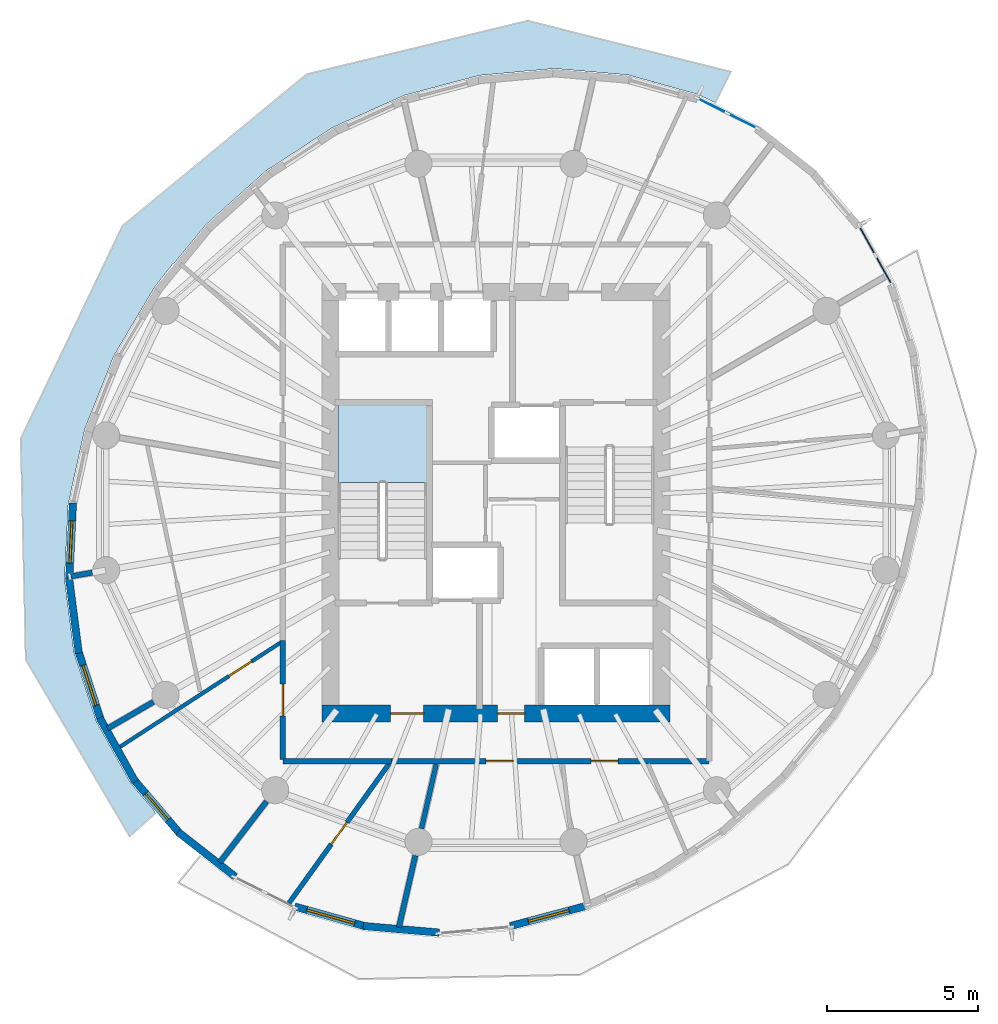
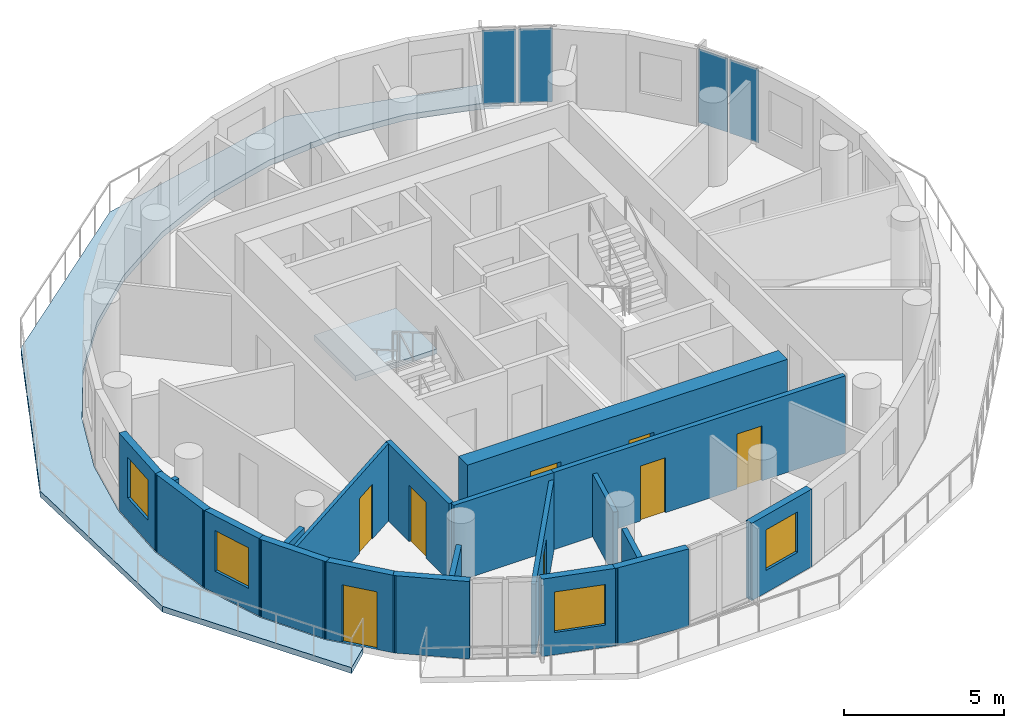
# One storey, part 4 of 10: 20 walls, 8 doors, 4 plates, 4 windows, 2 slabs, 12 openings, 3 elements without a shape of their own.
"""IFC4 building model written with IfcOpenShell, lengths in metres."""

from ifc_helpers import new_model, si_unit, direction, frame, frame_2d, origin, origin_2d, place, context, subcontext, project, spatial, polyline, rectangle, outline, extrude, material, layer, layer_set, type_object, element, fill, aggregate, save


model = new_model("IFC4")

# Units and contexts
model_context = context("Model", 3, precision=1e-05, world=origin(), true_north=direction((0.0, 1.0)))
body_context = subcontext(model_context, "Body", "Model", "MODEL_VIEW")
ifc_project = project(units=[si_unit("LENGTHUNIT", "METRE"), si_unit("AREAUNIT", "SQUARE_METRE"), si_unit("VOLUMEUNIT", "CUBIC_METRE"), si_unit("PLANEANGLEUNIT", "RADIAN"), si_unit("MASSUNIT", "GRAM", prefix="KILO")], contexts=[model_context])

# Site, building, storey
site_placement = place(None, origin())
site = spatial("IfcSite", under=ifc_project, at=site_placement, CompositionType="ELEMENT")
building_placement = place(site_placement, origin())
building = spatial("IfcBuilding", under=site, at=building_placement, Name="Veldorim Arch Residences", CompositionType="ELEMENT")
storey_placement = place(building_placement, frame((0.0, 0.0, 185.43994140625)))
storey = spatial("IfcBuildingStorey", under=building, at=storey_placement, Name="L55", CompositionType="ELEMENT", Elevation=185.43994140625)

# Slab
ifc_material_1 = material(Name="Concrete C40/50", Category="concrete")
ifc_layer_1 = layer(ifc_material_1, 0.219970703125, Name="Planted Crescent Cantilever Balcony Slab 220")
ifc_layer_set_1 = layer_set([ifc_layer_1], Name="Concrete C40/50")
slab_type_1 = type_object("IfcSlabType", Name="Planted Crescent Cantilever Balcony Slab 220", PredefinedType="FLOOR", material=ifc_layer_set_1)
slab_1_placement = place(storey_placement, frame((0.0, 0.0, -0.219970703125)))
element("IfcSlab", 1, at=slab_1_placement, inside=storey, type_object=slab_type_1, Name="L55 planted crescent balcony slab A", PredefinedType="FLOOR", context=body_context, shape_type="SweptSolid", body=[
    extrude(outline(polyline([(39.28564453125, 37.28955078125), (38.68505859375, 37.567138671875), (36.380615234375, 38.210205078125), (33.943115234375, 38.421630859375), (33.142822265625, 38.348876953125), (33.048095703125, 38.365234375), (32.92724609375, 38.329345703125), (31.447021484375, 38.194580078125), (28.967529296875, 37.53662109375), (26.58056640625, 36.46728515625), (24.358154296875, 35.019287109375), (22.3681640625, 33.23681640625), (21.35693359375, 32.008056640625), (21.263916015625, 31.928955078125), (20.67041015625, 31.173583984375), (19.31689453125, 28.892578125), (18.348388671875, 26.462890625), (17.794677734375, 23.958251953125), (17.67236328125, 21.45458984375), (17.985595703125, 19.0283203125), (18.724609375, 16.752685546875), (19.867431640625, 14.697265625), (20.63232421875, 13.80029296875), (20.68994140625, 13.6826171875), (19.83251953125, 12.916015625), (16.380615234375, 18.785400390625), (16.214599609375, 26.140380859375), (19.595458984375, 33.204345703125), (25.710205078125, 38.236572265625), (33.0537109375, 40.0126953125), (39.800537109375, 38.31787109375), (39.28564453125, 37.28955078125)])), origin(), (0.0, 0.0, 1.0), 0.219970703125),
])

# Stair, slab
ifc_material_2 = material(Name="Concrete C40/50", Category="concrete")
stair_type = type_object("IfcStairType", Name="Reinforced Concrete Dogleg Exit Staircase", PredefinedType="HALF_TURN_STAIR", material=ifc_material_2)
stair_placement = place(storey_placement, origin())
stair = element("IfcStair", 2, at=stair_placement, inside=storey, type_object=stair_type, Name="L55 Exit Staircase ST-1", PredefinedType="HALF_TURN_STAIR")
ifc_material_3 = material(Name="Concrete C40/50", Category="concrete")
ifc_layer_2 = layer(ifc_material_3, 0.199951171875, Name="Reinforced Concrete Stair Landing 200")
ifc_layer_set_2 = layer_set([ifc_layer_2], Name="Concrete C40/50")
slab_type_2 = type_object("IfcSlabType", Name="Reinforced Concrete Stair Landing 200", PredefinedType="LANDING", material=ifc_layer_set_2)
slab_2_placement = place(storey_placement, frame((0.0, 0.0, 1.400146484375)))
slab_2 = element("IfcSlab", 3, at=slab_2_placement, type_object=slab_type_2, Name="ST-1 landing 1", PredefinedType="LANDING", context=body_context, shape_type="SweptSolid", body=[
    extrude(outline(polyline([(29.7099609375, 24.669921875), (29.7099609375, 27.25), (26.75, 27.25), (26.75, 24.669921875), (29.7099609375, 24.669921875)])), origin(), (0.0, 0.0, 1.0), 0.199951171875),
])
aggregate(stair, [slab_2])

# Curtain wall, plates
ifc_material_4 = material(Name="Aluminium", Category="aluminium")
curtain_wall_type = type_object("IfcCurtainWallType", Name="Zone 4 High-Altitude Unitised Curtain Wall", PredefinedType="NOTDEFINED", material=ifc_material_4)
curtain_wall_1_placement = place(storey_placement, origin())
curtain_wall_1 = element("IfcCurtainWall", 4, at=curtain_wall_1_placement, inside=storey, type_object=curtain_wall_type, Name="L55 unitised curtain wall bay 02", PredefinedType="NOTDEFINED")
ifc_material_5 = material(Name="Laminated Low-E Glass", Category="glass")
ifc_layer_3 = layer(ifc_material_5, 0.030029296875, Name="Zone 4 High-Altitude Unitised Curtain Wall Glazing Panel 30")
ifc_layer_set_3 = layer_set([ifc_layer_3], Name="Laminated Low-E Glass")
plate_type = type_object("IfcPlateType", Name="Zone 4 High-Altitude Unitised Curtain Wall Glazing Panel 30", PredefinedType="CURTAIN_PANEL", material=ifc_layer_set_3)
plate_1_placement = place(storey_placement, frame((39.176513671875, 37.191650390625, 0.074951171875), z_axis=(0.0, 0.0, 1.0), x_axis=(0.893599006107, -0.448866145175, 0.0)))
plate_1 = element("IfcPlate", 5, at=plate_1_placement, type_object=plate_type, Name="CW-Z4 panel 1.1", PredefinedType="CURTAIN_PANEL", context=body_context, shape_type="SweptSolid", body=[
    extrude(rectangle(XDim=1.060791015625, YDim=0.030029296875, at=origin_2d()), origin(), (0.0, 0.0, 1.0), 2.81005859375),
])
plate_2_placement = place(storey_placement, frame((40.191650390625, 36.681640625, 0.074951171875), z_axis=(0.0, 0.0, 1.0), x_axis=(0.893599006107, -0.448866145175, 0.0)))
plate_2 = element("IfcPlate", 6, at=plate_2_placement, type_object=plate_type, Name="CW-Z4 panel 2.1", PredefinedType="CURTAIN_PANEL", context=body_context, shape_type="SweptSolid", body=[
    extrude(rectangle(XDim=1.060791015625, YDim=0.030029296875, at=origin_2d()), origin(), (0.0, 0.0, 1.0), 2.81005859375),
])
aggregate(curtain_wall_1, [plate_1, plate_2])

curtain_wall_2_placement = place(storey_placement, origin())
curtain_wall_2 = element("IfcCurtainWall", 7, at=curtain_wall_2_placement, inside=storey, type_object=curtain_wall_type, Name="L55 unitised curtain wall bay 35", PredefinedType="NOTDEFINED")
plate_3_placement = place(storey_placement, frame((44.327392578125, 32.715576171875, 0.074951171875), z_axis=(0.0, 0.0, 1.0), x_axis=(0.485885308861, -0.874022577874, 0.0)))
plate_3 = element("IfcPlate", 8, at=plate_3_placement, type_object=plate_type, Name="CW-Z4 panel 1.1", PredefinedType="CURTAIN_PANEL", context=body_context, shape_type="SweptSolid", body=[
    extrude(rectangle(XDim=1.06103515625, YDim=0.030029296875, at=origin_2d()), origin(), (0.0, 0.0, 1.0), 2.81005859375),
])
plate_4_placement = place(storey_placement, frame((44.87939453125, 31.722900390625, 0.074951171875), z_axis=(0.0, 0.0, 1.0), x_axis=(0.485885308861, -0.874022577874, 0.0)))
plate_4 = element("IfcPlate", 9, at=plate_4_placement, type_object=plate_type, Name="CW-Z4 panel 2.1", PredefinedType="CURTAIN_PANEL", context=body_context, shape_type="SweptSolid", body=[
    extrude(rectangle(XDim=1.06103515625, YDim=0.030029296875, at=origin_2d()), origin(), (0.0, 0.0, 1.0), 2.81005859375),
])
aggregate(curtain_wall_2, [plate_3, plate_4])

# Wall, opening, door
ifc_material_6 = material(Name="Acoustic Gypsum Board", Category="gypsum")
ifc_layer_4 = layer(ifc_material_6, 0.125, Name="Acoustic Stud Room Partition Wall 125")
ifc_layer_set_4 = layer_set([ifc_layer_4], Name="Acoustic Gypsum Board")
wall_type_1 = type_object("IfcWallType", Name="Acoustic Stud Room Partition Wall 125", PredefinedType="PARTITIONING", material=ifc_layer_set_4)
wall_1_placement = place(storey_placement, frame((19.421875, 15.838134765625, 0.0), z_axis=(0.0, 0.0, 1.0), x_axis=(0.838876327826, 0.544322061479, 0.0)))
wall_1 = element("IfcWall", 10, at=wall_1_placement, inside=storey, type_object=wall_type_1, Name="L55 interior wall WL-RES-L55-021", PredefinedType="PARTITIONING", context=body_context, shape_type="SweptSolid", body=[
    extrude(rectangle(XDim=6.454345703125, YDim=0.125, at=frame_2d((3.22705078125, 0.0))), origin(), (0.0, 0.0, 1.0), 2.955078125),
])
opening_1_placement = place(wall_1_placement, frame((4.41943359375, 0.0, 0.0)))
opening_1 = element("IfcOpeningElement", 11, at=opening_1_placement, cuts=wall_1, Name="Opening DR-INT", PredefinedType="OPENING", context=body_context, shape_type="SweptSolid", body=[
    extrude(rectangle(XDim=0.89990234375, YDim=2.10009765625, at=frame_2d((0.449951171875, 1.050048828125))), frame((0.0, 0.072509765625, 0.0), z_axis=(0.0, -1.0, 0.0), x_axis=(1.0, 0.0, 0.0)), (0.0, 0.0, 1.0), 0.14501953125),
])
ifc_material_7 = material(Name="Engineered Timber", Category="wood")
door_type_1 = type_object("IfcDoorType", Name="Apartment Internal Room Timber Door 900x2100", OperationType="SINGLE_SWING_LEFT", PredefinedType="DOOR", material=ifc_material_7)
door_1_placement = place(opening_1_placement, origin())
door_1 = element("IfcDoor", 12, at=door_1_placement, inside=storey, type_object=door_type_1, Name="L55 interior door DR-RES-L55-014", OperationType="SINGLE_SWING_RIGHT", OverallHeight=2.10009765625, OverallWidth=0.89990234375, PredefinedType="DOOR", context=body_context, shape_type="SweptSolid", body=[
    extrude(rectangle(XDim=0.89990234375, YDim=2.10009765625, at=frame_2d((0.449951171875, 1.050048828125))), frame((0.0, 0.02490234375, 0.0), z_axis=(0.0, -1.0, 0.0), x_axis=(1.0, 0.0, 0.0)), (0.0, 0.0, 1.0), 0.050048828125),
])
fill(opening_1, door_1)

# Walls
ifc_material_8 = material(Name="Lightweight Masonry Block & Gypsum", Category="masonry")
ifc_layer_5 = layer(ifc_material_8, 0.179931640625, Name="Compartment & Corridor Fire-Rated Party Wall 180")
ifc_layer_set_5 = layer_set([ifc_layer_5], Name="Lightweight Masonry Block & Gypsum")
wall_type_2 = type_object("IfcWallType", Name="Compartment & Corridor Fire-Rated Party Wall 180", PredefinedType="PARTITIONING", material=ifc_layer_set_5)
wall_2_placement = place(storey_placement, frame((18.590576171875, 21.680419921875, 0.0), z_axis=(0.0, 0.0, 1.0), x_axis=(-0.985336223431, -0.170623933826, 0.0)))
element("IfcWall", 13, at=wall_2_placement, inside=storey, type_object=wall_type_2, Name="L55 interior wall WL-PIER-L55-09", PredefinedType="PARTITIONING", context=body_context, shape_type="SweptSolid", body=[
    extrude(rectangle(XDim=0.71826171875, YDim=0.179931640625, at=frame_2d((0.359130859375, 0.0))), origin(), (0.0, 0.0, 1.0), 2.403564453125),
])
wall_3_placement = place(storey_placement, frame((20.6181640625, 17.385986328125, 0.0), z_axis=(0.0, 0.0, 1.0), x_axis=(-0.86461381872, -0.502437005482, 0.0)))
element("IfcWall", 14, at=wall_3_placement, inside=storey, type_object=wall_type_2, Name="L55 interior wall WL-PIER-L55-10", PredefinedType="PARTITIONING", context=body_context, shape_type="SweptSolid", body=[
    extrude(rectangle(XDim=1.758056640625, YDim=0.179931640625, at=frame_2d((0.87890625, 0.0))), origin(), (0.0, 0.0, 1.0), 2.403564453125),
])
wall_4_placement = place(storey_placement, frame((24.380126953125, 14.08203125, 0.0), z_axis=(0.0, 0.0, 1.0), x_axis=(-0.609249164273, -0.792978849549, 0.0)))
element("IfcWall", 15, at=wall_4_placement, inside=storey, type_object=wall_type_2, Name="L55 interior wall WL-PIER-L55-11", PredefinedType="PARTITIONING", context=body_context, shape_type="SweptSolid", body=[
    extrude(rectangle(XDim=2.556640625, YDim=0.179931640625, at=frame_2d((1.2783203125, 0.0))), origin(), (0.0, 0.0, 1.0), 2.403564453125),
])
wall_5_placement = place(storey_placement, frame((29.320068359375, 12.282470703125, 0.0), z_axis=(0.0, 0.0, 1.0), x_axis=(-0.222943921747, -0.974831271429, 0.0)))
element("IfcWall", 16, at=wall_5_placement, inside=storey, type_object=wall_type_2, Name="L55 interior wall WL-PIER-L55-12", PredefinedType="PARTITIONING", context=body_context, shape_type="SweptSolid", body=[
    extrude(rectangle(XDim=2.448486328125, YDim=0.179931640625, at=frame_2d((1.22412109375, 0.0))), origin(), (0.0, 0.0, 1.0), 2.403564453125),
])

# Wall, openings, doors
wall_6_placement = place(storey_placement, frame((39.080078125, 15.419921875, 0.0), z_axis=(0.0, 0.0, 1.0), x_axis=(-1.0, 0.0, 0.0)))
wall_6 = element("IfcWall", 17, at=wall_6_placement, inside=storey, type_object=wall_type_2, Name="L55 interior wall WL-RES-L55-003", PredefinedType="PARTITIONING", context=body_context, shape_type="SweptSolid", body=[
    extrude(rectangle(XDim=10.593994140625, YDim=0.179931640625, at=frame_2d((5.296875, 0.0))), origin(), (0.0, 0.0, 1.0), 2.955078125),
])
opening_2_placement = place(wall_6_placement, frame((3.021484375, 0.0, 0.0)))
opening_2 = element("IfcOpeningElement", 18, at=opening_2_placement, cuts=wall_6, Name="Opening DR-INT", PredefinedType="OPENING", context=body_context, shape_type="SweptSolid", body=[
    extrude(rectangle(XDim=0.89990234375, YDim=2.10009765625, at=frame_2d((0.449951171875, 1.050048828125))), frame((0.0, 0.099853515625, 0.0), z_axis=(0.0, -1.0, 0.0), x_axis=(1.0, 0.0, 0.0)), (0.0, 0.0, 1.0), 0.199951171875),
])
opening_3_placement = place(wall_6_placement, frame((6.50830078125, 0.0, 0.0)))
opening_3 = element("IfcOpeningElement", 19, at=opening_3_placement, cuts=wall_6, Name="Opening DR-INT", PredefinedType="OPENING", context=body_context, shape_type="SweptSolid", body=[
    extrude(rectangle(XDim=0.89990234375, YDim=2.10009765625, at=frame_2d((0.449951171875, 1.050048828125))), frame((0.0, 0.099853515625, 0.0), z_axis=(0.0, -1.0, 0.0), x_axis=(1.0, 0.0, 0.0)), (0.0, 0.0, 1.0), 0.199951171875),
])
door_2_placement = place(opening_2_placement, origin())
door_2 = element("IfcDoor", 20, at=door_2_placement, inside=storey, type_object=door_type_1, Name="L55 interior door DR-RES-L55-004", OperationType="SINGLE_SWING_RIGHT", OverallHeight=2.10009765625, OverallWidth=0.89990234375, PredefinedType="DOOR", context=body_context, shape_type="SweptSolid", body=[
    extrude(rectangle(XDim=0.89990234375, YDim=2.10009765625, at=frame_2d((0.449951171875, 1.050048828125))), frame((0.0, 0.02490234375, 0.0), z_axis=(0.0, -1.0, 0.0), x_axis=(1.0, 0.0, 0.0)), (0.0, 0.0, 1.0), 0.050048828125),
])
fill(opening_2, door_2)
door_3_placement = place(opening_3_placement, origin())
door_3 = element("IfcDoor", 21, at=door_3_placement, inside=storey, type_object=door_type_1, Name="L55 interior door DR-RES-L55-005", OperationType="SINGLE_SWING_LEFT", OverallHeight=2.10009765625, OverallWidth=0.89990234375, PredefinedType="DOOR", context=body_context, shape_type="SweptSolid", body=[
    extrude(rectangle(XDim=0.89990234375, YDim=2.10009765625, at=frame_2d((0.449951171875, 1.050048828125))), frame((0.0, 0.02490234375, 0.0), z_axis=(0.0, -1.0, 0.0), x_axis=(1.0, 0.0, 0.0)), (0.0, 0.0, 1.0), 0.050048828125),
])
fill(opening_3, door_3)

# Wall
wall_7_placement = place(storey_placement, frame((28.53076171875, 15.419921875, 0.0), z_axis=(0.0, 0.0, 1.0), x_axis=(-1.0, 0.0, 0.0)))
element("IfcWall", 22, at=wall_7_placement, inside=storey, type_object=wall_type_2, Name="L55 interior wall WL-RES-L55-006", PredefinedType="PARTITIONING", context=body_context, shape_type="SweptSolid", body=[
    extrude(rectangle(XDim=3.61083984375, YDim=0.179931640625, at=frame_2d((1.805419921875, 0.0))), origin(), (0.0, 0.0, 1.0), 2.955078125),
])

# Wall, opening, door
wall_8_placement = place(storey_placement, frame((24.919921875, 15.47998046875, 0.0), z_axis=(0.0, 0.0, 1.0), x_axis=(0.0, 1.0, 0.0)))
wall_8 = element("IfcWall", 23, at=wall_8_placement, inside=storey, type_object=wall_type_2, Name="L55 interior wall WL-RES-L55-007", PredefinedType="PARTITIONING", context=body_context, shape_type="SweptSolid", body=[
    extrude(rectangle(XDim=3.94580078125, YDim=0.179931640625, at=frame_2d((1.972900390625, 0.0))), origin(), (0.0, 0.0, 1.0), 2.955078125),
])
opening_4_placement = place(wall_8_placement, frame((1.447998046875, 0.0, 0.0)))
opening_4 = element("IfcOpeningElement", 24, at=opening_4_placement, cuts=wall_8, Name="Opening DR-FLT", PredefinedType="OPENING", context=body_context, shape_type="SweptSolid", body=[
    extrude(rectangle(XDim=1.050048828125, YDim=2.14990234375, at=frame_2d((0.52490234375, 1.074951171875))), frame((0.0, 0.099853515625, 0.0), z_axis=(0.0, -1.0, 0.0), x_axis=(1.0, 0.0, 0.0)), (0.0, 0.0, 1.0), 0.199951171875),
])
ifc_material_9 = material(Name="Fire-Rated Timber", Category="wood")
door_type_2 = type_object("IfcDoorType", Name="Apartment Entrance Solid-Core Fire Door 1050x2150", OperationType="SINGLE_SWING_LEFT", PredefinedType="DOOR", material=ifc_material_9)
door_4_placement = place(opening_4_placement, origin())
door_4 = element("IfcDoor", 25, at=door_4_placement, inside=storey, type_object=door_type_2, Name="L55 interior door DR-RES-L55-012", OperationType="SINGLE_SWING_RIGHT", OverallHeight=2.14990234375, OverallWidth=1.050048828125, PredefinedType="DOOR", context=body_context, shape_type="SweptSolid", body=[
    extrude(rectangle(XDim=1.050048828125, YDim=2.14990234375, at=frame_2d((0.52490234375, 1.074951171875))), frame((0.0, 0.02490234375, 0.0), z_axis=(0.0, -1.0, 0.0), x_axis=(1.0, 0.0, 0.0)), (0.0, 0.0, 1.0), 0.050048828125),
])
fill(opening_4, door_4)

# Wall, opening, window
ifc_material_10 = material(Name="Precast concrete C40/50", Category="concrete")
ifc_layer_6 = layer(ifc_material_10, 0.25, Name="Tower Terracotta Spandrel & Pier Wall 250")
ifc_layer_set_6 = layer_set([ifc_layer_6], Name="Precast concrete C40/50")
wall_type_3 = type_object("IfcWallType", Name="Tower Terracotta Spandrel & Pier Wall 250", PredefinedType="SOLIDWALL", material=ifc_layer_set_6)
wall_9_placement = place(storey_placement, frame((17.8203125, 21.404541015625, 0.0), z_axis=(0.0, 0.0, 1.0), x_axis=(0.048688181414, 0.99881402723, 0.0)))
wall_9 = element("IfcWall", 26, at=wall_9_placement, inside=storey, type_object=wall_type_3, Name="L55 terracotta facade wall 14", PredefinedType="SOLIDWALL", context=body_context, shape_type="SweptSolid", body=[
    extrude(rectangle(XDim=2.592529296875, YDim=0.25, at=frame_2d((1.29638671875, 0.0))), origin(), (0.0, 0.0, 1.0), 2.9599609375),
])
opening_5_placement = place(wall_9_placement, frame((0.595947265625, 0.0, 0.85009765625)))
opening_5 = element("IfcOpeningElement", 27, at=opening_5_placement, cuts=wall_9, Name="Opening WN-02", PredefinedType="OPENING", context=body_context, shape_type="SweptSolid", body=[
    extrude(rectangle(XDim=1.39990234375, YDim=1.550048828125, at=frame_2d((0.699951171875, 0.77490234375))), frame((0.0, 0.135009765625, 0.0), z_axis=(0.0, -1.0, 0.0), x_axis=(1.0, 0.0, 0.0)), (0.0, 0.0, 1.0), 0.27001953125),
])
ifc_material_11 = material(Name="Laminated Low-E Glass", Category="glass")
window_type_1 = type_object("IfcWindowType", Name="Residential Casement Window 1400x1550", PartitioningType="SINGLE_PANEL", PredefinedType="WINDOW", material=ifc_material_11)
window_1_placement = place(opening_5_placement, origin())
window_1 = element("IfcWindow", 28, at=window_1_placement, inside=storey, type_object=window_type_1, Name="L55 solar-control facade window 14", OverallHeight=1.550048828125, OverallWidth=1.39990234375, PartitioningType="SINGLE_PANEL", PredefinedType="WINDOW", context=body_context, shape_type="SweptSolid", body=[
    extrude(rectangle(XDim=1.39990234375, YDim=1.550048828125, at=frame_2d((0.699951171875, 0.77490234375))), frame((0.0, 0.030029296875, 0.0), z_axis=(0.0, -1.0, 0.0), x_axis=(1.0, 0.0, 0.0)), (0.0, 0.0, 1.0), 0.06005859375),
])
fill(opening_5, window_1)

# Wall
wall_10_placement = place(storey_placement, frame((18.139892578125, 19.005126953125, 0.0), z_axis=(0.0, 0.0, 1.0), x_axis=(-0.128057007482, 0.991766808698, 0.0)))
element("IfcWall", 29, at=wall_10_placement, inside=storey, type_object=wall_type_3, Name="L55 terracotta facade wall 15", PredefinedType="SOLIDWALL", context=body_context, shape_type="SweptSolid", body=[
    extrude(rectangle(XDim=2.53173828125, YDim=0.25, at=frame_2d((1.265869140625, 0.0))), origin(), (0.0, 0.0, 1.0), 2.9599609375),
])

# Wall, opening, window
wall_11_placement = place(storey_placement, frame((18.880615234375, 16.758544921875, 0.0), z_axis=(0.0, 0.0, 1.0), x_axis=(-0.309005861828, 0.951060133407, 0.0)))
wall_11 = element("IfcWall", 30, at=wall_11_placement, inside=storey, type_object=wall_type_3, Name="L55 terracotta facade wall 16", PredefinedType="SOLIDWALL", context=body_context, shape_type="SweptSolid", body=[
    extrude(rectangle(XDim=2.477783203125, YDim=0.25, at=frame_2d((1.23876953125, 0.0))), origin(), (0.0, 0.0, 1.0), 2.9599609375),
])
opening_6_placement = place(wall_11_placement, frame((0.5390625, 0.0, 0.85009765625)))
opening_6 = element("IfcOpeningElement", 31, at=opening_6_placement, cuts=wall_11, Name="Opening WN-02", PredefinedType="OPENING", context=body_context, shape_type="SweptSolid", body=[
    extrude(rectangle(XDim=1.39990234375, YDim=1.550048828125, at=frame_2d((0.699951171875, 0.77490234375))), frame((0.0, 0.135009765625, 0.0), z_axis=(0.0, -1.0, 0.0), x_axis=(1.0, 0.0, 0.0)), (0.0, 0.0, 1.0), 0.27001953125),
])
window_2_placement = place(opening_6_placement, origin())
window_2 = element("IfcWindow", 32, at=window_2_placement, inside=storey, type_object=window_type_1, Name="L55 solar-control facade window 16", OverallHeight=1.550048828125, OverallWidth=1.39990234375, PartitioningType="SINGLE_PANEL", PredefinedType="WINDOW", context=body_context, shape_type="SweptSolid", body=[
    extrude(rectangle(XDim=1.39990234375, YDim=1.550048828125, at=frame_2d((0.699951171875, 0.77490234375))), frame((0.0, 0.030029296875, 0.0), z_axis=(0.0, -1.0, 0.0), x_axis=(1.0, 0.0, 0.0)), (0.0, 0.0, 1.0), 0.06005859375),
])
fill(opening_6, window_2)

# Wall
wall_12_placement = place(storey_placement, frame((20.01904296875, 14.73291015625, 0.0), z_axis=(0.0, 0.0, 1.0), x_axis=(-0.485821561791, 0.874058013005, 0.0)))
element("IfcWall", 33, at=wall_12_placement, inside=storey, type_object=wall_type_3, Name="L55 terracotta facade wall 17", PredefinedType="SOLIDWALL", context=body_context, shape_type="SweptSolid", body=[
    extrude(rectangle(XDim=2.436767578125, YDim=0.25, at=frame_2d((1.21826171875, 0.0))), origin(), (0.0, 0.0, 1.0), 2.9599609375),
])

# Wall, opening, door
wall_13_placement = place(storey_placement, frame((21.520751953125, 12.989501953125, 0.0), z_axis=(0.0, 0.0, 1.0), x_axis=(-0.648874307696, 0.760895612297, 0.0)))
wall_13 = element("IfcWall", 34, at=wall_13_placement, inside=storey, type_object=wall_type_3, Name="L55 terracotta facade wall 18", PredefinedType="SOLIDWALL", context=body_context, shape_type="SweptSolid", body=[
    extrude(rectangle(XDim=2.414794921875, YDim=0.25, at=frame_2d((1.20751953125, 0.0))), origin(), (0.0, 0.0, 1.0), 2.9599609375),
])
opening_7_placement = place(wall_13_placement, frame((0.632080078125, 0.0, 0.0)))
opening_7 = element("IfcOpeningElement", 35, at=opening_7_placement, cuts=wall_13, Name="Opening BL-DR", PredefinedType="OPENING", context=body_context, shape_type="SweptSolid", body=[
    extrude(rectangle(XDim=1.14990234375, YDim=2.199951171875, at=frame_2d((0.574951171875, 1.10009765625))), frame((0.0, 0.135009765625, 0.0), z_axis=(0.0, -1.0, 0.0), x_axis=(1.0, 0.0, 0.0)), (0.0, 0.0, 1.0), 0.27001953125),
])
ifc_material_12 = material(Name="Aluminium & Low-E Glass", Category="aluminium")
door_type_3 = type_object("IfcDoorType", Name="Glazed Planted Balcony Door 1150x2200", OperationType="SINGLE_SWING_LEFT", PredefinedType="DOOR", material=ifc_material_12)
door_5_placement = place(opening_7_placement, origin())
door_5 = element("IfcDoor", 36, at=door_5_placement, inside=storey, type_object=door_type_3, Name="L55 glazed outdoor terrace door BALC-1", OperationType="SINGLE_SWING_RIGHT", OverallHeight=2.199951171875, OverallWidth=1.14990234375, PredefinedType="DOOR", context=body_context, shape_type="SweptSolid", body=[
    extrude(rectangle(XDim=1.14990234375, YDim=2.199951171875, at=frame_2d((0.574951171875, 1.10009765625))), frame((0.0, 0.02490234375, 0.0), z_axis=(0.0, -1.0, 0.0), x_axis=(1.0, 0.0, 0.0)), (0.0, 0.0, 1.0), 0.050048828125),
])
fill(opening_7, door_5)

# Wall
wall_14_placement = place(storey_placement, frame((23.33935546875, 11.580322265625, 0.0), z_axis=(0.0, 0.0, 1.0), x_axis=(-0.787404715416, 0.616436382883, 0.0)))
element("IfcWall", 37, at=wall_14_placement, inside=storey, type_object=wall_type_3, Name="L55 terracotta facade wall 19", PredefinedType="SOLIDWALL", context=body_context, shape_type="SweptSolid", body=[
    extrude(rectangle(XDim=2.414794921875, YDim=0.25, at=frame_2d((1.20751953125, 0.0))), origin(), (0.0, 0.0, 1.0), 2.9599609375),
])

# Wall, opening, window
wall_15_placement = place(storey_placement, frame((27.70068359375, 9.922607421875, 0.0), z_axis=(0.0, 0.0, 1.0), x_axis=(-0.96316841201, 0.26889888454, 0.0)))
wall_15 = element("IfcWall", 38, at=wall_15_placement, inside=storey, type_object=wall_type_3, Name="L55 terracotta facade wall 21", PredefinedType="SOLIDWALL", context=body_context, shape_type="SweptSolid", body=[
    extrude(rectangle(XDim=2.477783203125, YDim=0.25, at=frame_2d((1.23876953125, 0.0))), origin(), (0.0, 0.0, 1.0), 2.9599609375),
])
opening_8_placement = place(wall_15_placement, frame((0.4140625, 0.0, 0.85009765625)))
opening_8 = element("IfcOpeningElement", 39, at=opening_8_placement, cuts=wall_15, Name="Opening WN-03", PredefinedType="OPENING", context=body_context, shape_type="SweptSolid", body=[
    extrude(rectangle(XDim=1.64990234375, YDim=1.550048828125, at=frame_2d((0.824951171875, 0.77490234375))), frame((0.0, 0.135009765625, 0.0), z_axis=(0.0, -1.0, 0.0), x_axis=(1.0, 0.0, 0.0)), (0.0, 0.0, 1.0), 0.27001953125),
])
ifc_material_13 = material(Name="Laminated Low-E Glass", Category="glass")
window_type_2 = type_object("IfcWindowType", Name="Residential Wide Window 1650x1550", PartitioningType="SINGLE_PANEL", PredefinedType="WINDOW", material=ifc_material_13)
window_3_placement = place(opening_8_placement, origin())
window_3 = element("IfcWindow", 40, at=window_3_placement, inside=storey, type_object=window_type_2, Name="L55 solar-control facade window 21", OverallHeight=1.550048828125, OverallWidth=1.64990234375, PartitioningType="SINGLE_PANEL", PredefinedType="WINDOW", context=body_context, shape_type="SweptSolid", body=[
    extrude(rectangle(XDim=1.64990234375, YDim=1.550048828125, at=frame_2d((0.824951171875, 0.77490234375))), frame((0.0, 0.030029296875, 0.0), z_axis=(0.0, -1.0, 0.0), x_axis=(1.0, 0.0, 0.0)), (0.0, 0.0, 1.0), 0.06005859375),
])
fill(opening_8, window_3)

# Wall
wall_16_placement = place(storey_placement, frame((30.1123046875, 9.72412109375, 0.0), z_axis=(0.0, 0.0, 1.0), x_axis=(-0.996260822813, 0.08639660252, 0.0)))
element("IfcWall", 41, at=wall_16_placement, inside=storey, type_object=wall_type_3, Name="L55 terracotta facade wall 22", PredefinedType="SOLIDWALL", context=body_context, shape_type="SweptSolid", body=[
    extrude(rectangle(XDim=2.531982421875, YDim=0.25, at=frame_2d((1.26611328125, 0.0))), origin(), (0.0, 0.0, 1.0), 2.9599609375),
])

# Wall, opening, window
wall_17_placement = place(storey_placement, frame((35.035400390625, 10.619384765625, 0.0), z_axis=(0.0, 0.0, 1.0), x_axis=(-0.96652474621, -0.256573410476, 0.0)))
wall_17 = element("IfcWall", 42, at=wall_17_placement, inside=storey, type_object=wall_type_3, Name="L55 terracotta facade wall 24", PredefinedType="SOLIDWALL", context=body_context, shape_type="SweptSolid", body=[
    extrude(rectangle(XDim=2.65087890625, YDim=0.25, at=frame_2d((1.325439453125, 0.0))), origin(), (0.0, 0.0, 1.0), 2.9599609375),
])
opening_9_placement = place(wall_17_placement, frame((0.6259765625, 0.0, 0.85009765625)))
opening_9 = element("IfcOpeningElement", 43, at=opening_9_placement, cuts=wall_17, Name="Opening WN-02", PredefinedType="OPENING", context=body_context, shape_type="SweptSolid", body=[
    extrude(rectangle(XDim=1.39990234375, YDim=1.550048828125, at=frame_2d((0.699951171875, 0.77490234375))), frame((0.0, 0.135009765625, 0.0), z_axis=(0.0, -1.0, 0.0), x_axis=(1.0, 0.0, 0.0)), (0.0, 0.0, 1.0), 0.27001953125),
])
window_4_placement = place(opening_9_placement, origin())
window_4 = element("IfcWindow", 44, at=window_4_placement, inside=storey, type_object=window_type_1, Name="L55 solar-control facade window 24", OverallHeight=1.550048828125, OverallWidth=1.39990234375, PartitioningType="SINGLE_PANEL", PredefinedType="WINDOW", context=body_context, shape_type="SweptSolid", body=[
    extrude(rectangle(XDim=1.39990234375, YDim=1.550048828125, at=frame_2d((0.699951171875, 0.77490234375))), frame((0.0, 0.030029296875, 0.0), z_axis=(0.0, -1.0, 0.0), x_axis=(1.0, 0.0, 0.0)), (0.0, 0.0, 1.0), 0.06005859375),
])
fill(opening_9, window_4)

# Wall, openings, doors
ifc_material_14 = material(Name="Concrete C50/60", Category="concrete")
ifc_layer_7 = layer(ifc_material_14, 0.5, Name="Upper Central Core Shear Wall 560")
ifc_layer_set_7 = layer_set([ifc_layer_7], Name="Concrete C50/60")
wall_type_4 = type_object("IfcWallType", Name="Upper Central Core Shear Wall 560", PredefinedType="SHEAR", material=ifc_layer_set_7)
wall_18_placement = place(storey_placement, frame((26.219970703125, 17.0, 0.0), z_axis=(0.0, 0.0, 1.0), x_axis=(1.0, 0.0, 0.0)))
wall_18 = element("IfcWall", 45, at=wall_18_placement, inside=storey, type_object=wall_type_4, Name="L55 central core south shear wall", PredefinedType="SHEAR", context=body_context, shape_type="SweptSolid", body=[
    extrude(rectangle(XDim=11.56005859375, YDim=0.56005859375, at=frame_2d((5.780029296875, 0.0))), origin(), (0.0, 0.0, 1.0), 3.199951171875),
])
opening_10_placement = place(wall_18_placement, frame((2.280029296875, 0.0, 0.0)))
opening_10 = element("IfcOpeningElement", 46, at=opening_10_placement, cuts=wall_18, Name="Opening DR-FFL", PredefinedType="OPENING", context=body_context, shape_type="SweptSolid", body=[
    extrude(rectangle(XDim=1.10009765625, YDim=2.14990234375, at=frame_2d((0.550048828125, 1.074951171875))), frame((0.0, 0.2900390625, 0.0), z_axis=(0.0, -1.0, 0.0), x_axis=(1.0, 0.0, 0.0)), (0.0, 0.0, 1.0), 0.580078125),
])
opening_11_placement = place(wall_18_placement, frame((5.830078125, 0.0, 0.0)))
opening_11 = element("IfcOpeningElement", 47, at=opening_11_placement, cuts=wall_18, Name="Opening DR-SVC", PredefinedType="OPENING", context=body_context, shape_type="SweptSolid", body=[
    extrude(rectangle(XDim=0.89990234375, YDim=2.10009765625, at=frame_2d((0.449951171875, 1.050048828125))), frame((0.0, 0.2900390625, 0.0), z_axis=(0.0, -1.0, 0.0), x_axis=(1.0, 0.0, 0.0)), (0.0, 0.0, 1.0), 0.580078125),
])
ifc_material_15 = material(Name="Fire-Rated Steel & Vision Glass", Category="steel")
door_type_4 = type_object("IfcDoorType", Name="Firefighting Lobby Smoke-Stop Fire Door 1100x2150", OperationType="SINGLE_SWING_LEFT", PredefinedType="DOOR", material=ifc_material_15)
door_6_placement = place(opening_10_placement, origin())
door_6 = element("IfcDoor", 48, at=door_6_placement, inside=storey, type_object=door_type_4, Name="L55 interior door DR-L55-FFL1", OperationType="SINGLE_SWING_RIGHT", OverallHeight=2.14990234375, OverallWidth=1.10009765625, PredefinedType="DOOR", context=body_context, shape_type="SweptSolid", body=[
    extrude(rectangle(XDim=1.10009765625, YDim=2.14990234375, at=frame_2d((0.550048828125, 1.074951171875))), frame((0.0, 0.02490234375, 0.0), z_axis=(0.0, -1.0, 0.0), x_axis=(1.0, 0.0, 0.0)), (0.0, 0.0, 1.0), 0.050048828125),
])
fill(opening_10, door_6)
ifc_material_16 = material(Name="Fire-Rated Steel", Category="steel")
door_type_5 = type_object("IfcDoorType", Name="Riser, Shelter & Plant Room Rated Steel Door 900x2100", OperationType="SINGLE_SWING_LEFT", PredefinedType="DOOR", material=ifc_material_16)
door_7_placement = place(opening_11_placement, origin())
door_7 = element("IfcDoor", 49, at=door_7_placement, inside=storey, type_object=door_type_5, Name="L55 interior door DR-L55-COR-ANC", OperationType="SINGLE_SWING_LEFT", OverallHeight=2.10009765625, OverallWidth=0.89990234375, PredefinedType="DOOR", context=body_context, shape_type="SweptSolid", body=[
    extrude(rectangle(XDim=0.89990234375, YDim=2.10009765625, at=frame_2d((0.449951171875, 1.050048828125))), frame((0.0, 0.02490234375, 0.0), z_axis=(0.0, -1.0, 0.0), x_axis=(1.0, 0.0, 0.0)), (0.0, 0.0, 1.0), 0.050048828125),
])
fill(opening_11, door_7)

# Wall
ifc_material_17 = material(Name="Moisture-Resistant Gypsum & Stud", Category="gypsum")
ifc_layer_8 = layer(ifc_material_17, 0.159912109375, Name="Wet-Area Moisture-Resistant Plumbing Wall 160")
ifc_layer_set_8 = layer_set([ifc_layer_8], Name="Moisture-Resistant Gypsum & Stud")
wall_type_5 = type_object("IfcWallType", Name="Wet-Area Moisture-Resistant Plumbing Wall 160", PredefinedType="PLUMBINGWALL", material=ifc_layer_set_8)
wall_19_placement = place(storey_placement, frame((29.525146484375, 13.17919921875, 0.0), z_axis=(0.0, 0.0, 1.0), x_axis=(0.222969522248, 0.974825416241, 0.0)))
element("IfcWall", 50, at=wall_19_placement, inside=storey, type_object=wall_type_5, Name="L55 interior wall WL-RES-L55-014", PredefinedType="PLUMBINGWALL", context=body_context, shape_type="SweptSolid", body=[
    extrude(rectangle(XDim=2.19873046875, YDim=0.159912109375, at=frame_2d((1.099365234375, 0.0))), origin(), (0.0, 0.0, 1.0), 2.403564453125),
])

# Wall, opening, door
wall_20_placement = place(storey_placement, frame((28.452392578125, 15.3388671875, 0.0), z_axis=(0.0, 0.0, 1.0), x_axis=(-0.583489481732, -0.812120695899, 0.0)))
wall_20 = element("IfcWall", 51, at=wall_20_placement, inside=storey, type_object=wall_type_5, Name="L55 interior wall WL-RES-L55-020", PredefinedType="PLUMBINGWALL", context=body_context, shape_type="SweptSolid", body=[
    extrude(rectangle(XDim=5.697998046875, YDim=0.159912109375, at=frame_2d((2.84912109375, 0.0))), origin(), (0.0, 0.0, 1.0), 2.692138671875),
])
opening_12_placement = place(wall_20_placement, frame((2.39892578125, 0.0, 0.0)))
opening_12 = element("IfcOpeningElement", 52, at=opening_12_placement, cuts=wall_20, Name="Opening DR-WC", PredefinedType="OPENING", context=body_context, shape_type="SweptSolid", body=[
    extrude(rectangle(XDim=0.89990234375, YDim=2.10009765625, at=frame_2d((0.449951171875, 1.050048828125))), frame((0.0, 0.08984375, 0.0), z_axis=(0.0, -1.0, 0.0), x_axis=(1.0, 0.0, 0.0)), (0.0, 0.0, 1.0), 0.179931640625),
])
ifc_material_18 = material(Name="Laminate Timber", Category="wood")
door_type_6 = type_object("IfcDoorType", Name="Bathroom & Accessible WC Moisture-Sealed Door 900x2100", OperationType="SINGLE_SWING_LEFT", PredefinedType="DOOR", material=ifc_material_18)
door_8_placement = place(opening_12_placement, origin())
door_8 = element("IfcDoor", 53, at=door_8_placement, inside=storey, type_object=door_type_6, Name="L55 interior door DR-RES-L55-013", OperationType="SINGLE_SWING_LEFT", OverallHeight=2.10009765625, OverallWidth=0.89990234375, PredefinedType="DOOR", context=body_context, shape_type="SweptSolid", body=[
    extrude(rectangle(XDim=0.89990234375, YDim=2.10009765625, at=frame_2d((0.449951171875, 1.050048828125))), frame((0.0, 0.02490234375, 0.0), z_axis=(0.0, -1.0, 0.0), x_axis=(1.0, 0.0, 0.0)), (0.0, 0.0, 1.0), 0.050048828125),
])
fill(opening_12, door_8)

save(model, "model.ifc")
